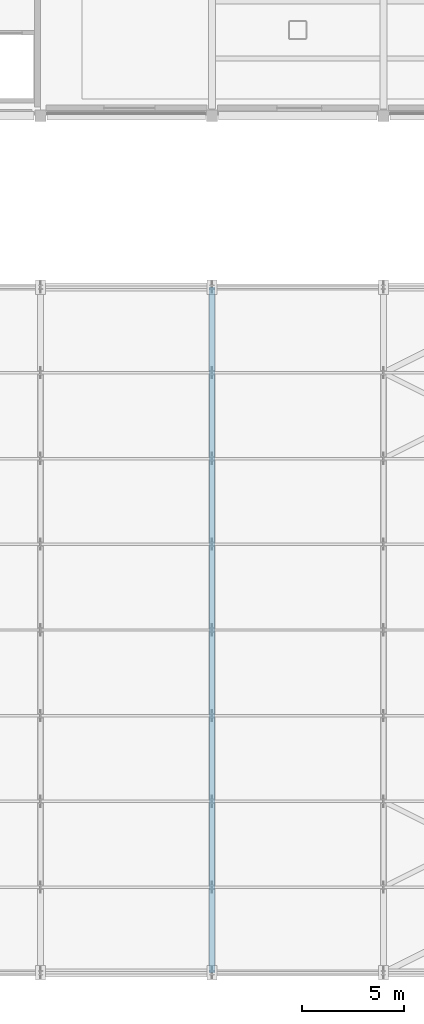
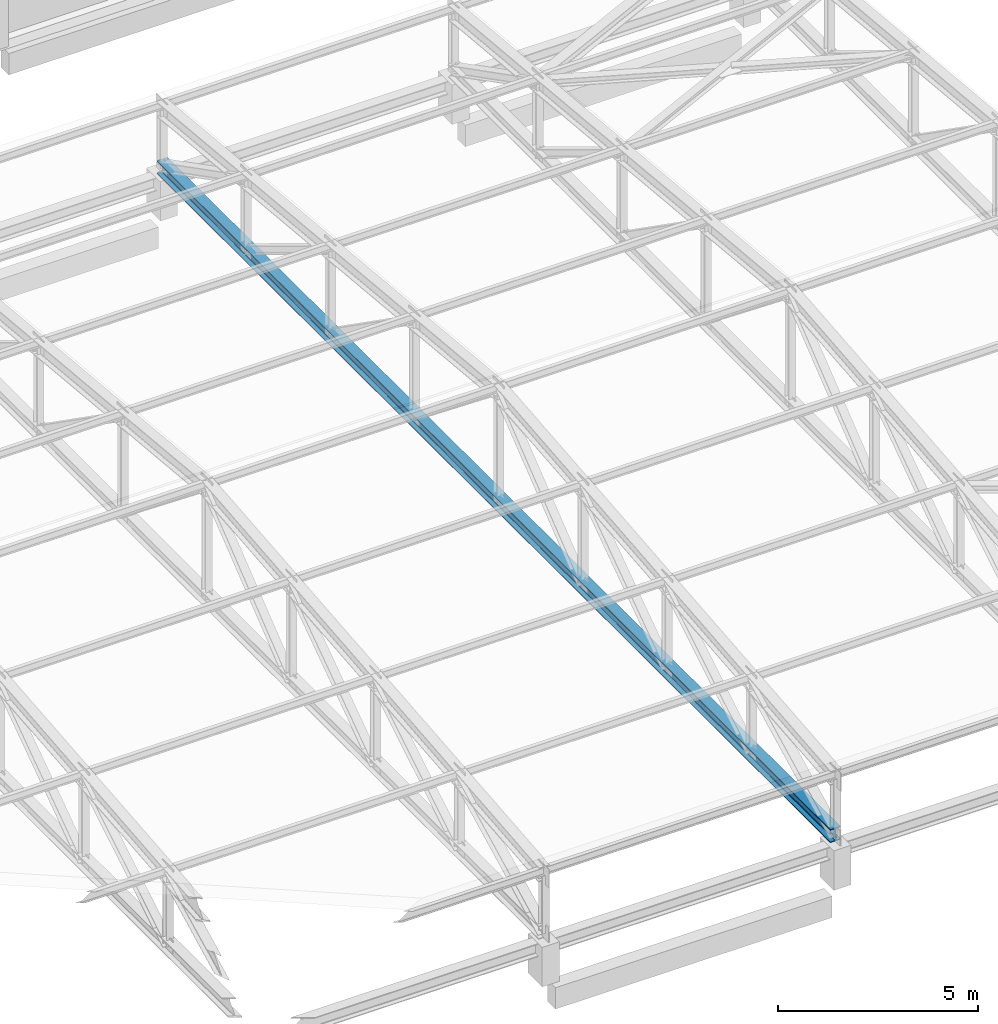
# One storey, part 21 of 74: 1 beam.
"""IFC4 building model written with IfcOpenShell, lengths in metres."""

from ifc_helpers import new_model, si_unit, derived_unit, direction, frame, origin, origin_2d, place, context, subcontext, project, spatial, i_section, extrude, material, material_profile, profile_set, type_object, element, save


model = new_model("IFC4")

# Units and contexts
model_context = context("Model", 3, precision=1e-05, world=origin(), true_north=direction((0.0, 1.0)))
body_context = subcontext(model_context, "Body", "Model", "MODEL_VIEW")
ifc_project = project(units=[si_unit("LENGTHUNIT", "METRE"), si_unit("AREAUNIT", "SQUARE_METRE"), si_unit("VOLUMEUNIT", "CUBIC_METRE"), si_unit("PLANEANGLEUNIT", "RADIAN"), si_unit("MASSUNIT", "GRAM", prefix="KILO"), derived_unit("THERMALTRANSMITTANCEUNIT", [(si_unit("POWERUNIT", "WATT"), 1), (si_unit("LENGTHUNIT", "METRE"), -2), (si_unit("THERMODYNAMICTEMPERATUREUNIT", "KELVIN"), -1)])], contexts=[model_context])

# Site, building, storey
site_placement = place(None, origin())
site = spatial("IfcSite", under=ifc_project, at=site_placement, CompositionType="ELEMENT")
building_placement = place(site_placement, origin())
building = spatial("IfcBuilding", under=site, at=building_placement, Name="Elbkamm Science Centre", CompositionType="ELEMENT")
storey_placement = place(building_placement, frame((0.0, 0.0, 14.39990234375)))
storey = spatial("IfcBuildingStorey", under=building, at=storey_placement, Name="L03", CompositionType="ELEMENT", Elevation=14.39990234375)

# Beam
ifc_material = material(Name="Steel EN 10025-2 S355J2", Category="steel")
ifc_material_profile = material_profile(ifc_material, i_section(OverallWidth=0.300048828125, OverallDepth=0.39990234375, WebThickness=0.013427734375, FlangeThickness=0.02392578125, FilletRadius=0.027099609375, at=origin_2d()), Name="HEB 400")
ifc_profile_set = profile_set([ifc_material_profile], Name="Steel EN 10025-2 S355J2")
beam_type = type_object("IfcBeamType", Name="BM-STL-HEB400", PredefinedType="BEAM", material=ifc_profile_set)
beam_placement = place(storey_placement, frame((100.800048828125, 0.0, 1.400146484375), z_axis=(0.0, 1.0, 0.0), x_axis=(-1.0, 0.0, 0.0)))
element("IfcBeam", 1, at=beam_placement, inside=storey, type_object=beam_type, Name="Theatre Steel Truss 05 Continuous Bottom Tie Chord", PredefinedType="BEAM", context=body_context, shape_type="SweptSolid", body=[
    extrude(i_section(OverallWidth=0.300048828125, OverallDepth=0.39990234375, WebThickness=0.013427734375, FlangeThickness=0.02392578125, FilletRadius=0.027099609375, at=origin_2d()), origin(), (0.0, 0.0, 1.0), 33.60009765625),
])

save(model, "model.ifc")
